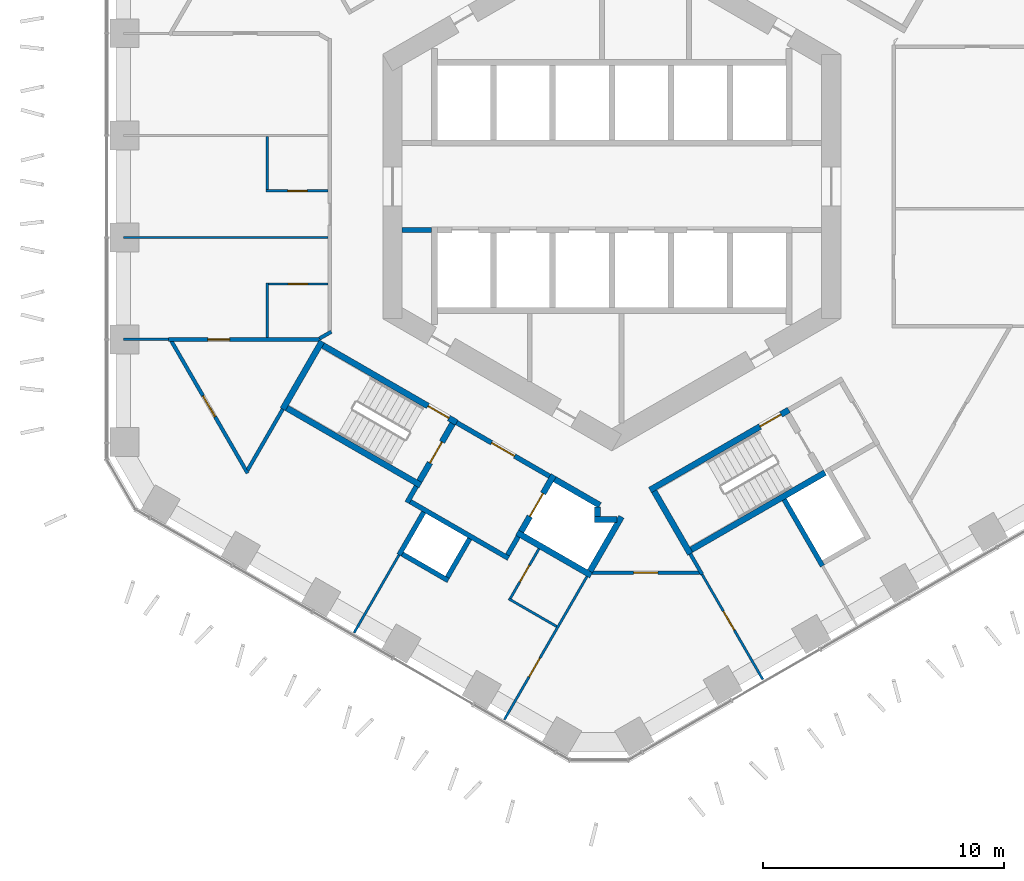
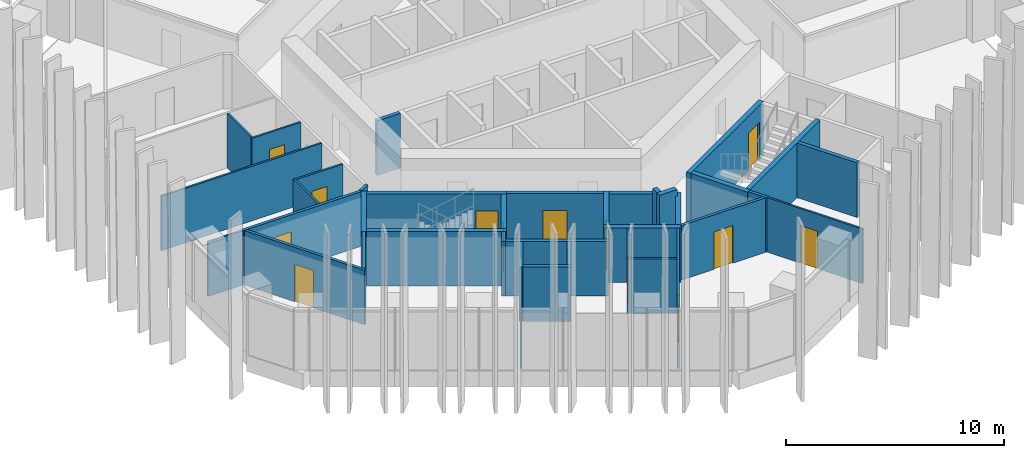
# One storey, part 12 of 19: 39 walls, 13 doors, 13 openings.
"""IFC4 building model written with IfcOpenShell, lengths in metres."""

from ifc_helpers import new_model, si_unit, direction, frame, frame_2d, origin, place, context, subcontext, project, spatial, rectangle, extrude, material, layer, layer_set, type_object, element, fill, save


model = new_model("IFC4")

# Units and contexts
model_context = context("Model", 3, precision=1e-05, world=origin(), true_north=direction((0.0, 1.0)))
body_context = subcontext(model_context, "Body", "Model", "MODEL_VIEW")
ifc_project = project(units=[si_unit("LENGTHUNIT", "METRE"), si_unit("AREAUNIT", "SQUARE_METRE"), si_unit("VOLUMEUNIT", "CUBIC_METRE"), si_unit("PLANEANGLEUNIT", "RADIAN"), si_unit("MASSUNIT", "GRAM", prefix="KILO")], contexts=[model_context])

# Site, building, storey
site_placement = place(None, origin())
site = spatial("IfcSite", under=ifc_project, at=site_placement, CompositionType="ELEMENT")
building_placement = place(site_placement, origin())
building = spatial("IfcBuilding", under=site, at=building_placement, Name="Ayvan Gate Tower", CompositionType="ELEMENT")
storey_placement = place(building_placement, frame((0.0, 0.0, 56.10009765625)))
storey = spatial("IfcBuildingStorey", under=building, at=storey_placement, Name="L14", CompositionType="ELEMENT", Elevation=56.10009765625)

# Wall, opening, door
ifc_material_1 = material(Name="Plasterboard on steel stud", Category="steel")
ifc_layer_1 = layer(ifc_material_1, 0.14990234375)
ifc_layer_set_1 = layer_set([ifc_layer_1], Name="Plasterboard on steel stud")
wall_type_1 = type_object("IfcWallType", Name="WT-CORR-150", PredefinedType="PARTITIONING", material=ifc_layer_set_1)
wall_1_placement = place(storey_placement, frame((-18.38232421875, -6.345703125, 0.0), z_axis=(0.0, 0.0, 1.0), x_axis=(1.0, 0.0, 0.0)))
wall_1 = element("IfcWall", 1, at=wall_1_placement, inside=storey, type_object=wall_type_1, Name="IW-L14-001", PredefinedType="PARTITIONING", context=body_context, shape_type="SweptSolid", body=[
    extrude(rectangle(XDim=6.26611328125, YDim=0.14990234375, at=frame_2d((3.133056640625, 0.0))), origin(), (0.0, 0.0, 1.0), 3.0498046875),
])
opening_1_placement = place(wall_1_placement, frame((1.631103515625, 0.0, 0.0)))
opening_1 = element("IfcOpeningElement", 2, at=opening_1_placement, cuts=wall_1, Name="Opening L14-D27", PredefinedType="OPENING", context=body_context, shape_type="SweptSolid", body=[
    extrude(rectangle(XDim=0.89990234375, YDim=2.10009765625, at=frame_2d((0.449951171875, 1.050048828125))), frame((0.0, 0.0849609375, 0.0), z_axis=(0.0, -1.0, 0.0), x_axis=(1.0, 0.0, 0.0)), (0.0, 0.0, 1.0), 0.169921875),
])
ifc_material_2 = material(Name="Timber door leaf", Category="wood")
door_type_1 = type_object("IfcDoorType", Name="DT-900", OperationType="NOTDEFINED", PredefinedType="DOOR", material=ifc_material_2)
door_1_placement = place(opening_1_placement, origin())
door_1 = element("IfcDoor", 3, at=door_1_placement, inside=storey, type_object=door_type_1, Name="ID-L14-027", OperationType="SINGLE_SWING_LEFT", OverallHeight=2.10009765625, OverallWidth=0.89990234375, PredefinedType="DOOR", context=body_context, shape_type="SweptSolid", body=[
    extrude(rectangle(XDim=0.89990234375, YDim=2.10009765625, at=frame_2d((0.449951171875, 1.050048828125))), frame((0.0, 0.02490234375, 0.0), z_axis=(0.0, -1.0, 0.0), x_axis=(1.0, 0.0, 0.0)), (0.0, 0.0, 1.0), 0.050048828125),
])
fill(opening_1, door_1)

wall_2_placement = place(storey_placement, frame((-15.10498046875, -11.892578125, 0.0), z_axis=(0.0, 0.0, 1.0), x_axis=(-0.499976194407, 0.866039147514, 0.0)))
wall_2 = element("IfcWall", 4, at=wall_2_placement, inside=storey, type_object=wall_type_1, Name="IW-L14-005", PredefinedType="PARTITIONING", context=body_context, shape_type="SweptSolid", body=[
    extrude(rectangle(XDim=6.329833984375, YDim=0.14990234375, at=frame_2d((3.1650390625, 0.0))), origin(), (0.0, 0.0, 1.0), 3.0498046875),
])
opening_2_placement = place(wall_2_placement, frame((2.702392578125, 0.0, 0.0)))
opening_2 = element("IfcOpeningElement", 5, at=opening_2_placement, cuts=wall_2, Name="Opening L14-D29", PredefinedType="OPENING", context=body_context, shape_type="SweptSolid", body=[
    extrude(rectangle(XDim=1.0, YDim=2.10009765625, at=frame_2d((0.5, 1.050048828125))), frame((0.0, 0.0849609375, 0.0), z_axis=(0.0, -1.0, 0.0), x_axis=(1.0, 0.0, 0.0)), (0.0, 0.0, 1.0), 0.169921875),
])
door_type_2 = type_object("IfcDoorType", Name="DT-1000", OperationType="NOTDEFINED", PredefinedType="DOOR", material=ifc_material_2)
door_2_placement = place(opening_2_placement, origin())
door_2 = element("IfcDoor", 6, at=door_2_placement, inside=storey, type_object=door_type_2, Name="ID-L14-029", OperationType="SINGLE_SWING_LEFT", OverallHeight=2.10009765625, OverallWidth=1.0, PredefinedType="DOOR", context=body_context, shape_type="SweptSolid", body=[
    extrude(rectangle(XDim=1.0, YDim=2.10009765625, at=frame_2d((0.5, 1.050048828125))), frame((0.0, 0.02490234375, 0.0), z_axis=(0.0, -1.0, 0.0), x_axis=(1.0, 0.0, 0.0)), (0.0, 0.0, 1.0), 0.050048828125),
])
fill(opening_2, door_2)

# Walls
wall_3_placement = place(storey_placement, frame((-13.64794921875, -9.23876953125, 0.0), z_axis=(0.0, 0.0, 1.0), x_axis=(-0.499959343224, -0.866048875712, 0.0)))
element("IfcWall", 7, at=wall_3_placement, inside=storey, type_object=wall_type_1, Name="IW-L14-011", PredefinedType="PARTITIONING", context=body_context, shape_type="SweptSolid", body=[
    extrude(rectangle(XDim=2.914306640625, YDim=0.14990234375, at=frame_2d((1.45703125, 0.0))), origin(), (0.0, 0.0, 1.0), 3.0498046875),
])
wall_4_placement = place(storey_placement, frame((-12.126220703125, -6.308349609375, 0.0), z_axis=(0.0, 0.0, 1.0), x_axis=(0.865956205248, 0.500119836232, 0.0)))
element("IfcWall", 8, at=wall_4_placement, inside=storey, type_object=wall_type_1, Name="IW-L14-014", PredefinedType="PARTITIONING", context=body_context, shape_type="SweptSolid", body=[
    extrude(rectangle(XDim=0.567138671875, YDim=0.14990234375, at=frame_2d((0.28369140625, 0.0))), origin(), (0.0, 0.0, 1.0), 3.0498046875),
])
wall_5_placement = place(storey_placement, frame((3.255615234375, -15.23876953125, 0.0), z_axis=(0.0, 0.0, 1.0), x_axis=(0.499815364442, -0.866131976934, 0.0)))
element("IfcWall", 9, at=wall_5_placement, inside=storey, type_object=wall_type_1, Name="IW-L14-071", PredefinedType="PARTITIONING", context=body_context, shape_type="SweptSolid", body=[
    extrude(rectangle(XDim=0.985595703125, YDim=0.14990234375, at=frame_2d((0.49267578125, 0.0))), origin(), (0.0, 0.0, 1.0), 3.0498046875),
])

# Wall, opening, door
wall_6_placement = place(storey_placement, frame((3.635986328125, -16.027587890625, 0.0), z_axis=(0.0, 0.0, 1.0), x_axis=(-1.0, 0.0, 0.0)))
wall_6 = element("IfcWall", 10, at=wall_6_placement, inside=storey, type_object=wall_type_1, Name="IW-L14-074", PredefinedType="PARTITIONING", context=body_context, shape_type="SweptSolid", body=[
    extrude(rectangle(XDim=4.45068359375, YDim=0.14990234375, at=frame_2d((2.225341796875, 0.0))), origin(), (0.0, 0.0, 1.0), 3.0498046875),
])
opening_3_placement = place(wall_6_placement, frame((1.725341796875, 0.0, 0.0)))
opening_3 = element("IfcOpeningElement", 11, at=opening_3_placement, cuts=wall_6, Name="Opening L14-D30", PredefinedType="OPENING", context=body_context, shape_type="SweptSolid", body=[
    extrude(rectangle(XDim=1.0, YDim=2.10009765625, at=frame_2d((0.5, 1.050048828125))), frame((0.0, 0.0849609375, 0.0), z_axis=(0.0, -1.0, 0.0), x_axis=(1.0, 0.0, 0.0)), (0.0, 0.0, 1.0), 0.169921875),
])
door_3_placement = place(opening_3_placement, origin())
door_3 = element("IfcDoor", 12, at=door_3_placement, inside=storey, type_object=door_type_2, Name="ID-L14-030", OperationType="SINGLE_SWING_RIGHT", OverallHeight=2.10009765625, OverallWidth=1.0, PredefinedType="DOOR", context=body_context, shape_type="SweptSolid", body=[
    extrude(rectangle(XDim=1.0, YDim=2.10009765625, at=frame_2d((0.5, 1.050048828125))), frame((0.0, 0.02490234375, 0.0), z_axis=(0.0, -1.0, 0.0), x_axis=(1.0, 0.0, 0.0)), (0.0, 0.0, 1.0), 0.050048828125),
])
fill(opening_3, door_3)

# Walls
ifc_layer_2 = layer(ifc_material_1, 0.10009765625)
ifc_layer_set_2 = layer_set([ifc_layer_2], Name="Plasterboard on steel stud")
wall_type_2 = type_object("IfcWallType", Name="WT-PART-100", PredefinedType="PARTITIONING", material=ifc_layer_set_2)
wall_7_placement = place(storey_placement, frame((-18.38232421875, -6.345703125, 0.0), z_axis=(0.0, 0.0, 1.0), x_axis=(-1.0, 0.0, 0.0)))
element("IfcWall", 13, at=wall_7_placement, inside=storey, type_object=wall_type_2, Name="IW-L14-000", PredefinedType="PARTITIONING", context=body_context, shape_type="SweptSolid", body=[
    extrude(rectangle(XDim=1.8681640625, YDim=0.10009765625, at=frame_2d((0.93408203125, 0.0))), origin(), (0.0, 0.0, 1.0), 3.0498046875),
])
wall_8_placement = place(storey_placement, frame((-14.300048828125, -3.995849609375, 0.0), z_axis=(0.0, 0.0, 1.0), x_axis=(0.0, -1.0, 0.0)))
element("IfcWall", 14, at=wall_8_placement, inside=storey, type_object=wall_type_2, Name="IW-L14-007", PredefinedType="PARTITIONING", context=body_context, shape_type="SweptSolid", body=[
    extrude(rectangle(XDim=2.27490234375, YDim=0.10009765625, at=frame_2d((1.137451171875, 0.0))), origin(), (0.0, 0.0, 1.0), 3.0498046875),
])

# Wall, opening, door
wall_9_placement = place(storey_placement, frame((-14.35009765625, -0.184814453125, 0.0), z_axis=(0.0, 0.0, 1.0), x_axis=(1.0, 0.0, 0.0)))
wall_9 = element("IfcWall", 15, at=wall_9_placement, inside=storey, type_object=wall_type_2, Name="IW-L14-008", PredefinedType="PARTITIONING", context=body_context, shape_type="SweptSolid", body=[
    extrude(rectangle(XDim=2.5751953125, YDim=0.10009765625, at=frame_2d((1.28759765625, 0.0))), origin(), (0.0, 0.0, 1.0), 3.0498046875),
])
opening_4_placement = place(wall_9_placement, frame((0.91259765625, 0.0, 0.0)))
opening_4 = element("IfcOpeningElement", 16, at=opening_4_placement, cuts=wall_9, Name="Opening L14-D26", PredefinedType="OPENING", context=body_context, shape_type="SweptSolid", body=[
    extrude(rectangle(XDim=0.800048828125, YDim=2.10009765625, at=frame_2d((0.39990234375, 1.050048828125))), frame((0.0, 0.06005859375, 0.0), z_axis=(0.0, -1.0, 0.0), x_axis=(1.0, 0.0, 0.0)), (0.0, 0.0, 1.0), 0.1201171875),
])
door_type_3 = type_object("IfcDoorType", Name="DT-800", OperationType="NOTDEFINED", PredefinedType="DOOR", material=ifc_material_2)
door_4_placement = place(opening_4_placement, origin())
door_4 = element("IfcDoor", 17, at=door_4_placement, inside=storey, type_object=door_type_3, Name="ID-L14-026", OperationType="SINGLE_SWING_RIGHT", OverallHeight=2.10009765625, OverallWidth=0.800048828125, PredefinedType="DOOR", context=body_context, shape_type="SweptSolid", body=[
    extrude(rectangle(XDim=0.800048828125, YDim=2.10009765625, at=frame_2d((0.39990234375, 1.050048828125))), frame((0.0, 0.02490234375, 0.0), z_axis=(0.0, -1.0, 0.0), x_axis=(1.0, 0.0, 0.0)), (0.0, 0.0, 1.0), 0.050048828125),
])
fill(opening_4, door_4)

# Wall
wall_10_placement = place(storey_placement, frame((-14.300048828125, 2.065185546875, 0.0), z_axis=(0.0, 0.0, 1.0), x_axis=(0.0, -1.0, 0.0)))
element("IfcWall", 18, at=wall_10_placement, inside=storey, type_object=wall_type_2, Name="IW-L14-009", PredefinedType="PARTITIONING", context=body_context, shape_type="SweptSolid", body=[
    extrude(rectangle(XDim=2.199951171875, YDim=0.10009765625, at=frame_2d((1.10009765625, 0.0))), origin(), (0.0, 0.0, 1.0), 3.0498046875),
])

# Wall, opening, door
wall_11_placement = place(storey_placement, frame((-11.77490234375, -4.0458984375, 0.0), z_axis=(0.0, 0.0, 1.0), x_axis=(-1.0, 0.0, 0.0)))
wall_11 = element("IfcWall", 19, at=wall_11_placement, inside=storey, type_object=wall_type_2, Name="IW-L14-016", PredefinedType="PARTITIONING", context=body_context, shape_type="SweptSolid", body=[
    extrude(rectangle(XDim=2.47509765625, YDim=0.10009765625, at=frame_2d((1.237548828125, 0.0))), origin(), (0.0, 0.0, 1.0), 3.0498046875),
])
opening_5_placement = place(wall_11_placement, frame((0.83740234375, 0.0, 0.0)))
opening_5 = element("IfcOpeningElement", 20, at=opening_5_placement, cuts=wall_11, Name="Opening L14-D28", PredefinedType="OPENING", context=body_context, shape_type="SweptSolid", body=[
    extrude(rectangle(XDim=0.800048828125, YDim=2.10009765625, at=frame_2d((0.39990234375, 1.050048828125))), frame((0.0, 0.06005859375, 0.0), z_axis=(0.0, -1.0, 0.0), x_axis=(1.0, 0.0, 0.0)), (0.0, 0.0, 1.0), 0.1201171875),
])
door_5_placement = place(opening_5_placement, origin())
door_5 = element("IfcDoor", 21, at=door_5_placement, inside=storey, type_object=door_type_3, Name="ID-L14-028", OperationType="SINGLE_SWING_RIGHT", OverallHeight=2.10009765625, OverallWidth=0.800048828125, PredefinedType="DOOR", context=body_context, shape_type="SweptSolid", body=[
    extrude(rectangle(XDim=0.800048828125, YDim=2.10009765625, at=frame_2d((0.39990234375, 1.050048828125))), frame((0.0, 0.02490234375, 0.0), z_axis=(0.0, -1.0, 0.0), x_axis=(1.0, 0.0, 0.0)), (0.0, 0.0, 1.0), 0.050048828125),
])
fill(opening_5, door_5)

# Walls
wall_12_placement = place(storey_placement, frame((-11.77490234375, -2.115234375, 0.0), z_axis=(0.0, 0.0, 1.0), x_axis=(-1.0, 0.0, 0.0)))
element("IfcWall", 22, at=wall_12_placement, inside=storey, type_object=wall_type_2, Name="IW-L14-017", PredefinedType="PARTITIONING", context=body_context, shape_type="SweptSolid", body=[
    extrude(rectangle(XDim=8.4755859375, YDim=0.10009765625, at=frame_2d((4.23779296875, 0.0))), origin(), (0.0, 0.0, 1.0), 3.0498046875),
])
wall_13_placement = place(storey_placement, frame((-10.690185546875, -18.51611328125, 0.0), z_axis=(0.0, 0.0, 1.0), x_axis=(0.49999626415, 0.866027560668, 0.0)))
element("IfcWall", 23, at=wall_13_placement, inside=storey, type_object=wall_type_2, Name="IW-L14-025", PredefinedType="PARTITIONING", context=body_context, shape_type="SweptSolid", body=[
    extrude(rectangle(XDim=3.73046875, YDim=0.10009765625, at=frame_2d((1.865234375, 0.0))), origin(), (0.0, 0.0, 1.0), 3.0498046875),
])
wall_14_placement = place(storey_placement, frame((-4.27490234375, -17.104248046875, 0.0), z_axis=(0.0, 0.0, 1.0), x_axis=(0.866053019151, -0.499952165731, 0.0)))
element("IfcWall", 24, at=wall_14_placement, inside=storey, type_object=wall_type_2, Name="IW-L14-041", PredefinedType="PARTITIONING", context=body_context, shape_type="SweptSolid", body=[
    extrude(rectangle(XDim=2.300048828125, YDim=0.10009765625, at=frame_2d((1.14990234375, 0.0))), origin(), (0.0, 0.0, 1.0), 3.0498046875),
])

# Wall, opening, door
wall_15_placement = place(storey_placement, frame((-4.454833984375, -22.1162109375, 0.0), z_axis=(0.0, 0.0, 1.0), x_axis=(0.499984476993, 0.866034365811, 0.0)))
wall_15 = element("IfcWall", 25, at=wall_15_placement, inside=storey, type_object=wall_type_2, Name="IW-L14-042", PredefinedType="PARTITIONING", context=body_context, shape_type="SweptSolid", body=[
    extrude(rectangle(XDim=6.855712890625, YDim=0.10009765625, at=frame_2d((3.427734375, 0.0))), origin(), (0.0, 0.0, 1.0), 3.0498046875),
])
opening_6_placement = place(wall_15_placement, frame((2.04833984375, 0.0, 0.0)))
opening_6 = element("IfcOpeningElement", 26, at=opening_6_placement, cuts=wall_15, Name="Opening L14-D31", PredefinedType="OPENING", context=body_context, shape_type="SweptSolid", body=[
    extrude(rectangle(XDim=0.89990234375, YDim=2.10009765625, at=frame_2d((0.449951171875, 1.050048828125))), frame((0.0, 0.06005859375, 0.0), z_axis=(0.0, -1.0, 0.0), x_axis=(1.0, 0.0, 0.0)), (0.0, 0.0, 1.0), 0.1201171875),
])
door_6_placement = place(opening_6_placement, origin())
door_6 = element("IfcDoor", 27, at=door_6_placement, inside=storey, type_object=door_type_1, Name="ID-L14-031", OperationType="SINGLE_SWING_LEFT", OverallHeight=2.10009765625, OverallWidth=0.89990234375, PredefinedType="DOOR", context=body_context, shape_type="SweptSolid", body=[
    extrude(rectangle(XDim=0.89990234375, YDim=2.10009765625, at=frame_2d((0.449951171875, 1.050048828125))), frame((0.0, 0.02490234375, 0.0), z_axis=(0.0, -1.0, 0.0), x_axis=(1.0, 0.0, 0.0)), (0.0, 0.0, 1.0), 0.050048828125),
])
fill(opening_6, door_6)

wall_16_placement = place(storey_placement, frame((-3.01904296875, -15.029052734375, 0.0), z_axis=(0.0, 0.0, 1.0), x_axis=(-0.499986429846, -0.866033238375, 0.0)))
wall_16 = element("IfcWall", 28, at=wall_16_placement, inside=storey, type_object=wall_type_2, Name="IW-L14-045", PredefinedType="PARTITIONING", context=body_context, shape_type="SweptSolid", body=[
    extrude(rectangle(XDim=2.375, YDim=0.10009765625, at=frame_2d((1.1875, 0.0))), origin(), (0.0, 0.0, 1.0), 3.0498046875),
])
opening_7_placement = place(wall_16_placement, frame((0.78759765625, 0.0, 0.0)))
opening_7 = element("IfcOpeningElement", 29, at=opening_7_placement, cuts=wall_16, Name="Opening L14-D32", PredefinedType="OPENING", context=body_context, shape_type="SweptSolid", body=[
    extrude(rectangle(XDim=0.800048828125, YDim=2.10009765625, at=frame_2d((0.39990234375, 1.050048828125))), frame((0.0, 0.06005859375, 0.0), z_axis=(0.0, -1.0, 0.0), x_axis=(1.0, 0.0, 0.0)), (0.0, 0.0, 1.0), 0.1201171875),
])
door_7_placement = place(opening_7_placement, origin())
door_7 = element("IfcDoor", 30, at=door_7_placement, inside=storey, type_object=door_type_3, Name="ID-L14-032", OperationType="SINGLE_SWING_RIGHT", OverallHeight=2.10009765625, OverallWidth=0.800048828125, PredefinedType="DOOR", context=body_context, shape_type="SweptSolid", body=[
    extrude(rectangle(XDim=0.800048828125, YDim=2.10009765625, at=frame_2d((0.39990234375, 1.050048828125))), frame((0.0, 0.02490234375, 0.0), z_axis=(0.0, -1.0, 0.0), x_axis=(1.0, 0.0, 0.0)), (0.0, 0.0, 1.0), 0.050048828125),
])
fill(opening_7, door_7)

wall_17_placement = place(storey_placement, frame((3.748291015625, -16.092529296875, 0.0), z_axis=(0.0, 0.0, 1.0), x_axis=(0.500028802338, -0.866008774109, 0.0)))
wall_17 = element("IfcWall", 31, at=wall_17_placement, inside=storey, type_object=wall_type_2, Name="IW-L14-075", PredefinedType="PARTITIONING", context=body_context, shape_type="SweptSolid", body=[
    extrude(rectangle(XDim=5.035888671875, YDim=0.10009765625, at=frame_2d((2.51806640625, 0.0))), origin(), (0.0, 0.0, 1.0), 3.0498046875),
])
opening_8_placement = place(wall_17_placement, frame((1.77001953125, 0.0, 0.0)))
opening_8 = element("IfcOpeningElement", 32, at=opening_8_placement, cuts=wall_17, Name="Opening L14-D33", PredefinedType="OPENING", context=body_context, shape_type="SweptSolid", body=[
    extrude(rectangle(XDim=0.89990234375, YDim=2.10009765625, at=frame_2d((0.449951171875, 1.050048828125))), frame((0.0, 0.06005859375, 0.0), z_axis=(0.0, -1.0, 0.0), x_axis=(1.0, 0.0, 0.0)), (0.0, 0.0, 1.0), 0.1201171875),
])
door_8_placement = place(opening_8_placement, origin())
door_8 = element("IfcDoor", 33, at=door_8_placement, inside=storey, type_object=door_type_1, Name="ID-L14-033", OperationType="SINGLE_SWING_LEFT", OverallHeight=2.10009765625, OverallWidth=0.89990234375, PredefinedType="DOOR", context=body_context, shape_type="SweptSolid", body=[
    extrude(rectangle(XDim=0.89990234375, YDim=2.10009765625, at=frame_2d((0.449951171875, 1.050048828125))), frame((0.0, 0.02490234375, 0.0), z_axis=(0.0, -1.0, 0.0), x_axis=(1.0, 0.0, 0.0)), (0.0, 0.0, 1.0), 0.050048828125),
])
fill(opening_8, door_8)

# Walls
ifc_layer_3 = layer(ifc_material_1, 0.199951171875)
ifc_layer_set_3 = layer_set([ifc_layer_3], Name="Plasterboard on steel stud")
wall_type_3 = type_object("IfcWallType", Name="WT-PLUMB-200", PredefinedType="PLUMBINGWALL", material=ifc_layer_set_3)
wall_18_placement = place(storey_placement, frame((-8.824951171875, -15.285400390625, 0.0), z_axis=(0.0, 0.0, 1.0), x_axis=(0.499956128963, 0.866050731258, 0.0)))
element("IfcWall", 34, at=wall_18_placement, inside=storey, type_object=wall_type_3, Name="IW-L14-021", PredefinedType="PLUMBINGWALL", context=body_context, shape_type="SweptSolid", body=[
    extrude(rectangle(XDim=2.050048828125, YDim=0.199951171875, at=frame_2d((1.02490234375, 0.0))), origin(), (0.0, 0.0, 1.0), 3.0498046875),
])
wall_19_placement = place(storey_placement, frame((-6.783203125, -16.348876953125, 0.0), z_axis=(0.0, 0.0, 1.0), x_axis=(-0.866008176907, 0.50002983664, 0.0)))
element("IfcWall", 35, at=wall_19_placement, inside=storey, type_object=wall_type_3, Name="IW-L14-032", PredefinedType="PLUMBINGWALL", context=body_context, shape_type="SweptSolid", body=[
    extrude(rectangle(XDim=2.199951171875, YDim=0.199951171875, at=frame_2d((1.10009765625, 0.0))), origin(), (0.0, 0.0, 1.0), 3.0498046875),
])
wall_20_placement = place(storey_placement, frame((-5.894775390625, -14.610107421875, 0.0), z_axis=(0.0, 0.0, 1.0), x_axis=(-0.500042316284, -0.866000971088, 0.0)))
element("IfcWall", 36, at=wall_20_placement, inside=storey, type_object=wall_type_3, Name="IW-L14-035", PredefinedType="PLUMBINGWALL", context=body_context, shape_type="SweptSolid", body=[
    extrude(rectangle(XDim=1.849853515625, YDim=0.199951171875, at=frame_2d((0.9248046875, 0.0))), origin(), (0.0, 0.0, 1.0), 3.0498046875),
])
wall_21_placement = place(storey_placement, frame((8.740234375, -15.738525390625, 0.0), z_axis=(0.0, 0.0, 1.0), x_axis=(-0.500017526161, 0.866015284814, 0.0)))
element("IfcWall", 37, at=wall_21_placement, inside=storey, type_object=wall_type_3, Name="IW-L14-093", PredefinedType="PLUMBINGWALL", context=body_context, shape_type="SweptSolid", body=[
    extrude(rectangle(XDim=3.17529296875, YDim=0.199951171875, at=frame_2d((1.587646484375, 0.0))), origin(), (0.0, 0.0, 1.0), 3.0498046875),
])
ifc_layer_4 = layer(ifc_material_1, 0.199951171875)
ifc_layer_set_4 = layer_set([ifc_layer_4], Name="Plasterboard on steel stud")
wall_type_4 = type_object("IfcWallType", Name="WT-RATED-200", PredefinedType="PARTITIONING", material=ifc_layer_set_4)
wall_22_placement = place(storey_placement, frame((-8.492919921875, -13.110107421875, 0.0), z_axis=(0.0, 0.0, 1.0), x_axis=(0.500067724834, 0.865986299303, 0.0)))
element("IfcWall", 38, at=wall_22_placement, inside=storey, type_object=wall_type_4, Name="IW-L14-023", PredefinedType="PARTITIONING", context=body_context, shape_type="SweptSolid", body=[
    extrude(rectangle(XDim=0.775390625, YDim=0.199951171875, at=frame_2d((0.3876953125, 0.0))), origin(), (0.0, 0.0, 1.0), 3.0498046875),
])
wall_23_placement = place(storey_placement, frame((-8.356201171875, -13.073486328125, 0.0), z_axis=(0.0, 0.0, 1.0), x_axis=(0.866038532462, -0.499977259774, 0.0)))
element("IfcWall", 39, at=wall_23_placement, inside=storey, type_object=wall_type_4, Name="IW-L14-026", PredefinedType="PARTITIONING", context=body_context, shape_type="SweptSolid", body=[
    extrude(rectangle(XDim=4.699951171875, YDim=0.199951171875, at=frame_2d((2.35009765625, 0.0))), origin(), (0.0, 0.0, 1.0), 3.0498046875),
])
wall_24_placement = place(storey_placement, frame((-7.474853515625, -1.800048828125, 0.0), z_axis=(0.0, 0.0, 1.0), x_axis=(-1.0, 0.0, 0.0)))
element("IfcWall", 40, at=wall_24_placement, inside=storey, type_object=wall_type_4, Name="IW-L14-031", PredefinedType="PARTITIONING", context=body_context, shape_type="SweptSolid", body=[
    extrude(rectangle(XDim=1.22509765625, YDim=0.199951171875, at=frame_2d((0.612548828125, 0.0))), origin(), (0.0, 0.0, 1.0), 3.0498046875),
])

# Wall, opening, door
wall_25_placement = place(storey_placement, frame((-6.4345703125, -9.794921875, 0.0), z_axis=(0.0, 0.0, 1.0), x_axis=(0.866012907634, -0.500021643343, 0.0)))
wall_25 = element("IfcWall", 41, at=wall_25_placement, inside=storey, type_object=wall_type_4, Name="IW-L14-034", PredefinedType="PARTITIONING", context=body_context, shape_type="SweptSolid", body=[
    extrude(rectangle(XDim=4.449951171875, YDim=0.199951171875, at=frame_2d((2.22509765625, 0.0))), origin(), (0.0, 0.0, 1.0), 3.0498046875),
])
opening_9_placement = place(wall_25_placement, frame((1.675048828125, 0.0, 0.0)))
opening_9 = element("IfcOpeningElement", 42, at=opening_9_placement, cuts=wall_25, Name="Opening L14-D12", PredefinedType="OPENING", context=body_context, shape_type="SweptSolid", body=[
    extrude(rectangle(XDim=1.10009765625, YDim=2.10009765625, at=frame_2d((0.550048828125, 1.050048828125))), frame((0.0, 0.10986328125, 0.0), z_axis=(0.0, -1.0, 0.0), x_axis=(1.0, 0.0, 0.0)), (0.0, 0.0, 1.0), 0.219970703125),
])
door_type_4 = type_object("IfcDoorType", Name="DT-1100", OperationType="NOTDEFINED", PredefinedType="DOOR", material=ifc_material_2)
door_9_placement = place(opening_9_placement, origin())
door_9 = element("IfcDoor", 43, at=door_9_placement, inside=storey, type_object=door_type_4, Name="ID-L14-012", OperationType="SINGLE_SWING_RIGHT", OverallHeight=2.10009765625, OverallWidth=1.10009765625, PredefinedType="DOOR", context=body_context, shape_type="SweptSolid", body=[
    extrude(rectangle(XDim=1.10009765625, YDim=2.10009765625, at=frame_2d((0.550048828125, 1.050048828125))), frame((0.0, 0.02490234375, 0.0), z_axis=(0.0, -1.0, 0.0), x_axis=(1.0, 0.0, 0.0)), (0.0, 0.0, 1.0), 0.050048828125),
])
fill(opening_9, door_9)

# Walls
wall_26_placement = place(storey_placement, frame((-3.885009765625, -14.52880859375, 0.0), z_axis=(0.0, 0.0, 1.0), x_axis=(-0.499859285417, -0.866106630146, 0.0)))
element("IfcWall", 44, at=wall_26_placement, inside=storey, type_object=wall_type_4, Name="IW-L14-043", PredefinedType="PARTITIONING", context=body_context, shape_type="SweptSolid", body=[
    extrude(rectangle(XDim=0.875244140625, YDim=0.199951171875, at=frame_2d((0.4375, 0.0))), origin(), (0.0, 0.0, 1.0), 3.0498046875),
])
ifc_material_3 = material(Name="Concrete C50/60", Category="concrete")
ifc_layer_5 = layer(ifc_material_3, 0.25)
ifc_layer_set_5 = layer_set([ifc_layer_5], Name="Concrete C50/60")
wall_type_5 = type_object("IfcWallType", Name="WT-RC-250", PredefinedType="SHEAR", material=ifc_layer_set_5)
wall_27_placement = place(storey_placement, frame((-13.64794921875, -9.23876953125, 0.0), z_axis=(0.0, 0.0, 1.0), x_axis=(0.500017246033, 0.866015446554, 0.0)))
element("IfcWall", 45, at=wall_27_placement, inside=storey, type_object=wall_type_5, Name="IW-L14-012", PredefinedType="SHEAR", context=body_context, shape_type="SweptSolid", body=[
    extrude(rectangle(XDim=3.25, YDim=0.25, at=frame_2d((1.625, 0.0))), origin(), (0.0, 0.0, 1.0), 3.0498046875),
])

# Wall, opening, door
wall_28_placement = place(storey_placement, frame((-11.97705078125, -6.594970703125, 0.0), z_axis=(0.0, 0.0, 1.0), x_axis=(0.866025499775, -0.499999833739, 0.0)))
wall_28 = element("IfcWall", 46, at=wall_28_placement, inside=storey, type_object=wall_type_5, Name="IW-L14-015", PredefinedType="SHEAR", context=body_context, shape_type="SweptSolid", body=[
    extrude(rectangle(XDim=6.39990234375, YDim=0.25, at=frame_2d((3.199951171875, 0.0))), origin(), (0.0, 0.0, 1.0), 3.0498046875),
])
opening_10_placement = place(wall_28_placement, frame((5.02490234375, 0.0, 0.0)))
opening_10 = element("IfcOpeningElement", 47, at=opening_10_placement, cuts=wall_28, Name="Opening L14-D10", PredefinedType="OPENING", context=body_context, shape_type="SweptSolid", body=[
    extrude(rectangle(XDim=1.0, YDim=2.10009765625, at=frame_2d((0.5, 1.050048828125))), frame((0.0, 0.135009765625, 0.0), z_axis=(0.0, -1.0, 0.0), x_axis=(1.0, 0.0, 0.0)), (0.0, 0.0, 1.0), 0.27001953125),
])
door_10_placement = place(opening_10_placement, origin())
door_10 = element("IfcDoor", 48, at=door_10_placement, inside=storey, type_object=door_type_2, Name="ID-L14-010", OperationType="SINGLE_SWING_RIGHT", OverallHeight=2.10009765625, OverallWidth=1.0, PredefinedType="DOOR", context=body_context, shape_type="SweptSolid", body=[
    extrude(rectangle(XDim=1.0, YDim=2.10009765625, at=frame_2d((0.5, 1.050048828125))), frame((0.0, 0.02490234375, 0.0), z_axis=(0.0, -1.0, 0.0), x_axis=(1.0, 0.0, 0.0)), (0.0, 0.0, 1.0), 0.050048828125),
])
fill(opening_10, door_10)

# Wall
wall_29_placement = place(storey_placement, frame((-7.9345703125, -12.39306640625, 0.0), z_axis=(0.0, 0.0, 1.0), x_axis=(-0.866025499775, 0.499999833739, 0.0)))
element("IfcWall", 49, at=wall_29_placement, inside=storey, type_object=wall_type_5, Name="IW-L14-024", PredefinedType="SHEAR", context=body_context, shape_type="SweptSolid", body=[
    extrude(rectangle(XDim=6.39990234375, YDim=0.25, at=frame_2d((3.199951171875, 0.0))), origin(), (0.0, 0.0, 1.0), 3.0498046875),
])

# Wall, opening, door
wall_30_placement = place(storey_placement, frame((-6.605224609375, -9.8408203125, 0.0), z_axis=(0.0, 0.0, 1.0), x_axis=(-0.499996545922, -0.866027397988, 0.0)))
wall_30 = element("IfcWall", 50, at=wall_30_placement, inside=storey, type_object=wall_type_5, Name="IW-L14-033", PredefinedType="SHEAR", context=body_context, shape_type="SweptSolid", body=[
    extrude(rectangle(XDim=2.75, YDim=0.25, at=frame_2d((1.375, 0.0))), origin(), (0.0, 0.0, 1.0), 3.0498046875),
])
opening_11_placement = place(wall_30_placement, frame((0.875, 0.0, 0.0)))
opening_11 = element("IfcOpeningElement", 51, at=opening_11_placement, cuts=wall_30, Name="Opening L14-D11", PredefinedType="OPENING", context=body_context, shape_type="SweptSolid", body=[
    extrude(rectangle(XDim=1.0, YDim=2.10009765625, at=frame_2d((0.5, 1.050048828125))), frame((0.0, 0.135009765625, 0.0), z_axis=(0.0, -1.0, 0.0), x_axis=(1.0, 0.0, 0.0)), (0.0, 0.0, 1.0), 0.27001953125),
])
door_11_placement = place(opening_11_placement, origin())
door_11 = element("IfcDoor", 52, at=door_11_placement, inside=storey, type_object=door_type_2, Name="ID-L14-011", OperationType="SINGLE_SWING_LEFT", OverallHeight=2.10009765625, OverallWidth=1.0, PredefinedType="DOOR", context=body_context, shape_type="SweptSolid", body=[
    extrude(rectangle(XDim=1.0, YDim=2.10009765625, at=frame_2d((0.5, 1.050048828125))), frame((0.0, 0.02490234375, 0.0), z_axis=(0.0, -1.0, 0.0), x_axis=(1.0, 0.0, 0.0)), (0.0, 0.0, 1.0), 0.050048828125),
])
fill(opening_11, door_11)

# Wall
wall_31_placement = place(storey_placement, frame((-3.930908203125, -14.3583984375, 0.0), z_axis=(0.0, 0.0, 1.0), x_axis=(0.8660424351, -0.499970499736, 0.0)))
element("IfcWall", 53, at=wall_31_placement, inside=storey, type_object=wall_type_5, Name="IW-L14-046", PredefinedType="SHEAR", context=body_context, shape_type="SweptSolid", body=[
    extrude(rectangle(XDim=3.550048828125, YDim=0.25, at=frame_2d((1.77490234375, 0.0))), origin(), (0.0, 0.0, 1.0), 3.0498046875),
])

# Wall, opening, door
wall_32_placement = place(storey_placement, frame((-2.409912109375, -11.97412109375, 0.0), z_axis=(0.0, 0.0, 1.0), x_axis=(-0.50000943426, -0.866019956843, 0.0)))
wall_32 = element("IfcWall", 54, at=wall_32_placement, inside=storey, type_object=wall_type_5, Name="IW-L14-049", PredefinedType="SHEAR", context=body_context, shape_type="SweptSolid", body=[
    extrude(rectangle(XDim=2.7001953125, YDim=0.25, at=frame_2d((1.35009765625, 0.0))), origin(), (0.0, 0.0, 1.0), 3.0498046875),
])
opening_12_placement = place(wall_32_placement, frame((0.87744140625, 0.0, 0.0)))
opening_12 = element("IfcOpeningElement", 55, at=opening_12_placement, cuts=wall_32, Name="Opening L14-LD-FF2", PredefinedType="OPENING", context=body_context, shape_type="SweptSolid", body=[
    extrude(rectangle(XDim=1.10009765625, YDim=2.10009765625, at=frame_2d((0.550048828125, 1.050048828125))), frame((0.0, 0.135009765625, 0.0), z_axis=(0.0, -1.0, 0.0), x_axis=(1.0, 0.0, 0.0)), (0.0, 0.0, 1.0), 0.27001953125),
])
ifc_material_4 = material(Name="Stainless steel landing door", Category="steel")
door_type_5 = type_object("IfcDoorType", Name="DT-LANDING-1100", OperationType="SLIDING_TO_LEFT", PredefinedType="DOOR", material=ifc_material_4)
door_12_placement = place(opening_12_placement, origin())
door_12 = element("IfcDoor", 56, at=door_12_placement, inside=storey, type_object=door_type_5, Name="ID-L14-013", OperationType="SLIDING_TO_LEFT", OverallHeight=2.10009765625, OverallWidth=1.10009765625, PredefinedType="DOOR", context=body_context, shape_type="SweptSolid", body=[
    extrude(rectangle(XDim=1.10009765625, YDim=2.10009765625, at=frame_2d((0.550048828125, 1.050048828125))), frame((0.0, 0.02490234375, 0.0), z_axis=(0.0, -1.0, 0.0), x_axis=(1.0, 0.0, 0.0)), (0.0, 0.0, 1.0), 0.050048828125),
])
fill(opening_12, door_12)

# Walls
wall_33_placement = place(storey_placement, frame((-2.3642578125, -12.14501953125, 0.0), z_axis=(0.0, 0.0, 1.0), x_axis=(0.86603892542, -0.499976579108, 0.0)))
element("IfcWall", 57, at=wall_33_placement, inside=storey, type_object=wall_type_5, Name="IW-L14-050", PredefinedType="SHEAR", context=body_context, shape_type="SweptSolid", body=[
    extrude(rectangle(XDim=2.162109375, YDim=0.25, at=frame_2d((1.0810546875, 0.0))), origin(), (0.0, 0.0, 1.0), 3.0498046875),
])
wall_34_placement = place(storey_placement, frame((-0.902099609375, -15.96240234375, 0.0), z_axis=(0.0, 0.0, 1.0), x_axis=(0.499981517636, 0.866036074319, 0.0)))
element("IfcWall", 58, at=wall_34_placement, inside=storey, type_object=wall_type_5, Name="IW-L14-053", PredefinedType="SHEAR", context=body_context, shape_type="SweptSolid", body=[
    extrude(rectangle(XDim=2.6103515625, YDim=0.25, at=frame_2d((1.30517578125, 0.0))), origin(), (0.0, 0.0, 1.0), 3.0498046875),
])
wall_35_placement = place(storey_placement, frame((-0.72509765625, -13.81005859375, 0.0), z_axis=(0.0, 0.0, 1.0), x_axis=(1.0, 0.0, 0.0)))
element("IfcWall", 59, at=wall_35_placement, inside=storey, type_object=wall_type_5, Name="IW-L14-055", PredefinedType="SHEAR", context=body_context, shape_type="SweptSolid", body=[
    extrude(rectangle(XDim=0.940673828125, YDim=0.25, at=frame_2d((0.47021484375, 0.0))), origin(), (0.0, 0.0, 1.0), 3.39990234375),
])
wall_36_placement = place(storey_placement, frame((-0.60009765625, -13.28857421875, 0.0), z_axis=(0.0, 0.0, 1.0), x_axis=(0.0, -1.0, 0.0)))
element("IfcWall", 60, at=wall_36_placement, inside=storey, type_object=wall_type_5, Name="IW-L14-056", PredefinedType="SHEAR", context=body_context, shape_type="SweptSolid", body=[
    extrude(rectangle(XDim=0.396484375, YDim=0.25, at=frame_2d((0.1982421875, 0.0))), origin(), (0.0, 0.0, 1.0), 3.39990234375),
])

# Wall, opening, door
wall_37_placement = place(storey_placement, frame((1.584716796875, -12.594970703125, 0.0), z_axis=(0.0, 0.0, 1.0), x_axis=(0.866036417653, 0.499980922934, 0.0)))
wall_37 = element("IfcWall", 61, at=wall_37_placement, inside=storey, type_object=wall_type_5, Name="IW-L14-066", PredefinedType="SHEAR", context=body_context, shape_type="SweptSolid", body=[
    extrude(rectangle(XDim=6.650146484375, YDim=0.25, at=frame_2d((3.3251953125, 0.0))), origin(), (0.0, 0.0, 1.0), 3.0498046875),
])
opening_13_placement = place(wall_37_placement, frame((5.27490234375, 0.0, 0.0)))
opening_13 = element("IfcOpeningElement", 62, at=opening_13_placement, cuts=wall_37, Name="Opening L14-D14", PredefinedType="OPENING", context=body_context, shape_type="SweptSolid", body=[
    extrude(rectangle(XDim=1.0, YDim=2.10009765625, at=frame_2d((0.5, 1.050048828125))), frame((0.0, 0.135009765625, 0.0), z_axis=(0.0, -1.0, 0.0), x_axis=(1.0, 0.0, 0.0)), (0.0, 0.0, 1.0), 0.27001953125),
])
door_13_placement = place(opening_13_placement, origin())
door_13 = element("IfcDoor", 63, at=door_13_placement, inside=storey, type_object=door_type_2, Name="ID-L14-014", OperationType="SINGLE_SWING_RIGHT", OverallHeight=2.10009765625, OverallWidth=1.0, PredefinedType="DOOR", context=body_context, shape_type="SweptSolid", body=[
    extrude(rectangle(XDim=1.0, YDim=2.10009765625, at=frame_2d((0.5, 1.050048828125))), frame((0.0, 0.02490234375, 0.0), z_axis=(0.0, -1.0, 0.0), x_axis=(1.0, 0.0, 0.0)), (0.0, 0.0, 1.0), 0.050048828125),
])
fill(opening_13, door_13)

# Walls
wall_38_placement = place(storey_placement, frame((3.255615234375, -15.23876953125, 0.0), z_axis=(0.0, 0.0, 1.0), x_axis=(-0.50002537861, 0.866010750942, 0.0)))
element("IfcWall", 64, at=wall_38_placement, inside=storey, type_object=wall_type_5, Name="IW-L14-072", PredefinedType="SHEAR", context=body_context, shape_type="SweptSolid", body=[
    extrude(rectangle(XDim=2.999755859375, YDim=0.25, at=frame_2d((1.5, 0.0))), origin(), (0.0, 0.0, 1.0), 3.0498046875),
])
wall_39_placement = place(storey_placement, frame((3.30126953125, -15.068115234375, 0.0), z_axis=(0.0, 0.0, 1.0), x_axis=(0.866035036182, 0.499983315828, 0.0)))
element("IfcWall", 65, at=wall_39_placement, inside=storey, type_object=wall_type_5, Name="IW-L14-083", PredefinedType="SHEAR", context=body_context, shape_type="SweptSolid", body=[
    extrude(rectangle(XDim=6.400146484375, YDim=0.25, at=frame_2d((3.2001953125, 0.0))), origin(), (0.0, 0.0, 1.0), 3.0498046875),
])

save(model, "model.ifc")
